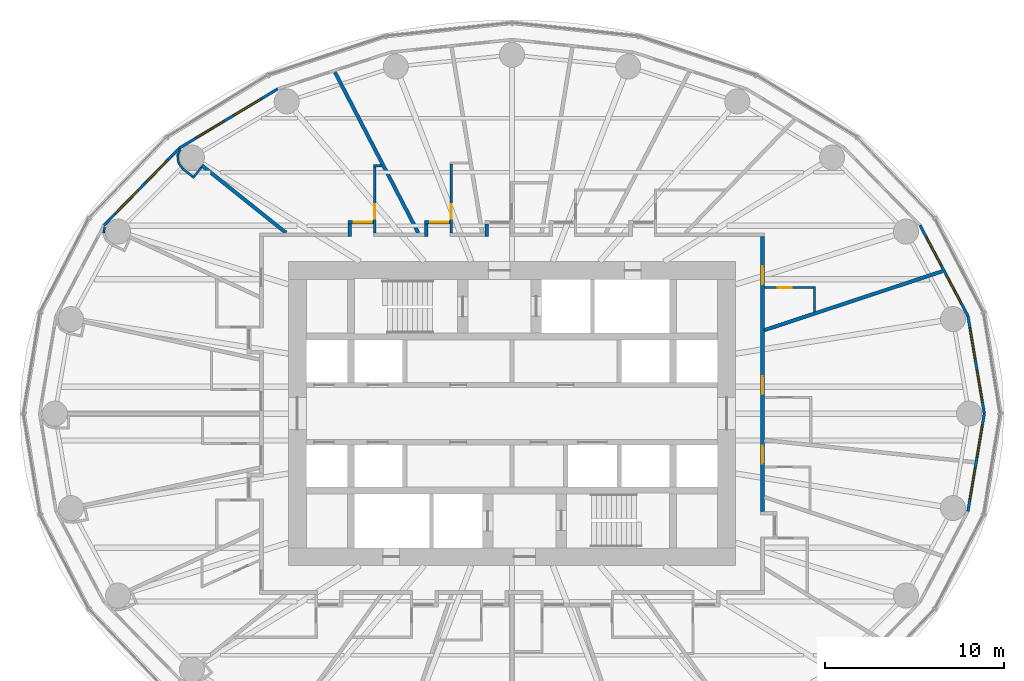
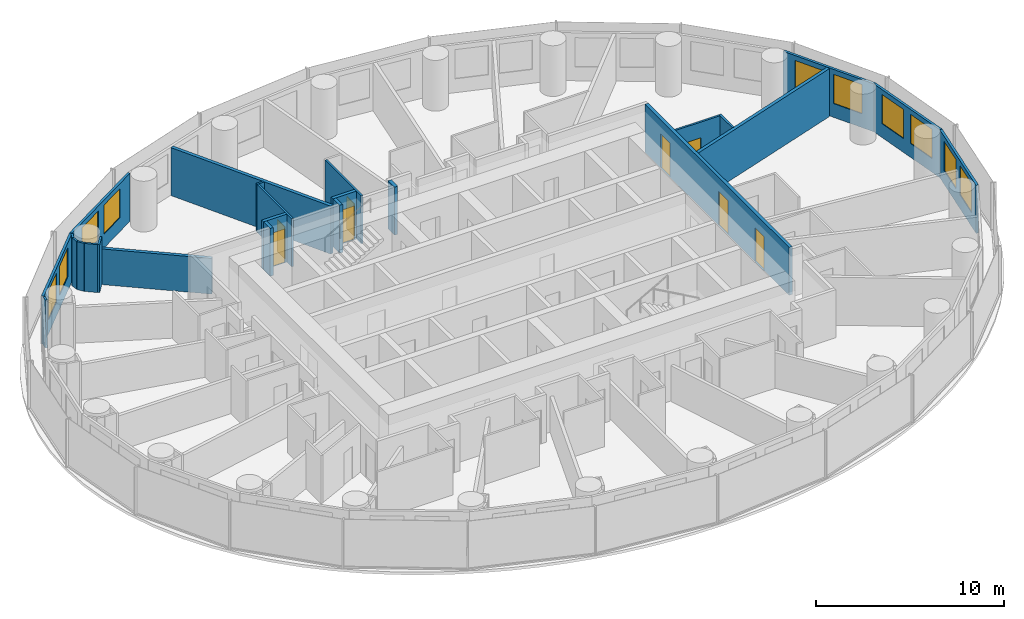
# One storey, part 11 of 14: 25 walls, 10 windows, 8 doors, 18 openings.
"""IFC4 building model written with IfcOpenShell, lengths in metres."""

from ifc_helpers import new_model, si_unit, direction, frame, frame_2d, origin, place, context, subcontext, project, spatial, rectangle, extrude, material, layer, layer_set, type_object, element, fill, save


model = new_model("IFC4")

# Units and contexts
model_context = context("Model", 3, precision=1e-05, world=origin(), true_north=direction((0.0, 1.0)))
body_context = subcontext(model_context, "Body", "Model", "MODEL_VIEW")
ifc_project = project(units=[si_unit("LENGTHUNIT", "METRE"), si_unit("AREAUNIT", "SQUARE_METRE"), si_unit("VOLUMEUNIT", "CUBIC_METRE"), si_unit("PLANEANGLEUNIT", "RADIAN"), si_unit("MASSUNIT", "GRAM", prefix="KILO")], contexts=[model_context])

# Site, building, storey
site_placement = place(None, origin())
site = spatial("IfcSite", under=ifc_project, at=site_placement, CompositionType="ELEMENT")
building_placement = place(site_placement, origin())
building = spatial("IfcBuilding", under=site, at=building_placement, Name="Hankou Lantern Tower", CompositionType="ELEMENT")
storey_placement = place(building_placement, frame((0.0, 0.0, 54.0)))
storey = spatial("IfcBuildingStorey", under=building, at=storey_placement, Name="L12", CompositionType="ELEMENT", Elevation=54.0)

# Wall, openings, windows
ifc_material_1 = material(Name="Aluminium spandrel panel on steel studs", Category="steel")
ifc_layer_1 = layer(ifc_material_1, 0.14990234375)
ifc_layer_set_1 = layer_set([ifc_layer_1], Name="Aluminium spandrel panel on steel studs")
wall_type_1 = type_object("IfcWallType", Name="EW1 INNER SKIN WALL 150", PredefinedType="ELEMENTEDWALL", material=ifc_layer_set_1)
wall_1_placement = place(storey_placement, frame((26.39990234375, 0.0, 0.0), z_axis=(0.0, 0.0, 1.0), x_axis=(-0.165642551694, 0.986185857264, 0.0)))
wall_1 = element("IfcWall", 1, at=wall_1_placement, inside=storey, type_object=wall_type_1, Name="Inner skin R01-R02 L12", PredefinedType="ELEMENTEDWALL", context=body_context, shape_type="SweptSolid", body=[
    extrude(rectangle(XDim=5.538818359375, YDim=0.14990234375, at=frame_2d((2.76953125, 0.0))), origin(), (0.0, 0.0, 1.0), 3.1201171875),
])
opening_1_placement = place(wall_1_placement, frame((0.66943359375, 0.0, 0.89990234375)))
opening_1 = element("IfcOpeningElement", 2, at=opening_1_placement, cuts=wall_1, Name="Opening W1", PredefinedType="OPENING", context=body_context, shape_type="SweptSolid", body=[
    extrude(rectangle(XDim=1.800048828125, YDim=1.89990234375, at=frame_2d((0.89990234375, 0.949951171875))), frame((0.0, 0.0849609375, 0.0), z_axis=(0.0, -1.0, 0.0), x_axis=(1.0, 0.0, 0.0)), (0.0, 0.0, 1.0), 0.169921875),
])
opening_2_placement = place(wall_1_placement, frame((3.069580078125, 0.0, 0.89990234375)))
opening_2 = element("IfcOpeningElement", 3, at=opening_2_placement, cuts=wall_1, Name="Opening W1", PredefinedType="OPENING", context=body_context, shape_type="SweptSolid", body=[
    extrude(rectangle(XDim=1.800048828125, YDim=1.89990234375, at=frame_2d((0.89990234375, 0.949951171875))), frame((0.0, 0.0849609375, 0.0), z_axis=(0.0, -1.0, 0.0), x_axis=(1.0, 0.0, 0.0)), (0.0, 0.0, 1.0), 0.169921875),
])
ifc_material_2 = material(Name="Aluminium framed double glazed window", Category="aluminium")
window_type = type_object("IfcWindowType", Name="W1 GUEST ROOM WINDOW 1800X1900", PartitioningType="DOUBLE_PANEL_VERTICAL", PredefinedType="WINDOW", material=ifc_material_2)
window_1_placement = place(opening_1_placement, origin())
window_1 = element("IfcWindow", 4, at=window_1_placement, inside=storey, type_object=window_type, Name="Window R01.1 L12", OverallHeight=1.89990234375, OverallWidth=1.800048828125, PartitioningType="SINGLE_PANEL", PredefinedType="WINDOW", context=body_context, shape_type="SweptSolid", body=[
    extrude(rectangle(XDim=1.800048828125, YDim=1.89990234375, at=frame_2d((0.89990234375, 0.949951171875))), frame((0.0, 0.030029296875, 0.0), z_axis=(0.0, -1.0, 0.0), x_axis=(1.0, 0.0, 0.0)), (0.0, 0.0, 1.0), 0.06005859375),
])
fill(opening_1, window_1)
window_2_placement = place(opening_2_placement, origin())
window_2 = element("IfcWindow", 5, at=window_2_placement, inside=storey, type_object=window_type, Name="Window R01.2 L12", OverallHeight=1.89990234375, OverallWidth=1.800048828125, PartitioningType="SINGLE_PANEL", PredefinedType="WINDOW", context=body_context, shape_type="SweptSolid", body=[
    extrude(rectangle(XDim=1.800048828125, YDim=1.89990234375, at=frame_2d((0.89990234375, 0.949951171875))), frame((0.0, 0.030029296875, 0.0), z_axis=(0.0, -1.0, 0.0), x_axis=(1.0, 0.0, 0.0)), (0.0, 0.0, 1.0), 0.06005859375),
])
fill(opening_2, window_2)

wall_2_placement = place(storey_placement, frame((25.482421875, 5.46240234375, 0.0), z_axis=(0.0, 0.0, 1.0), x_axis=(-0.467296867008, 0.884100468321, 0.0)))
wall_2 = element("IfcWall", 6, at=wall_2_placement, inside=storey, type_object=wall_type_1, Name="Inner skin R02-R03 L12", PredefinedType="ELEMENTEDWALL", context=body_context, shape_type="SweptSolid", body=[
    extrude(rectangle(XDim=5.734375, YDim=0.14990234375, at=frame_2d((2.8671875, 0.0))), origin(), (0.0, 0.0, 1.0), 3.1201171875),
])
opening_3_placement = place(wall_2_placement, frame((0.76708984375, 0.0, 0.89990234375)))
opening_3 = element("IfcOpeningElement", 7, at=opening_3_placement, cuts=wall_2, Name="Opening W1", PredefinedType="OPENING", context=body_context, shape_type="SweptSolid", body=[
    extrude(rectangle(XDim=1.800048828125, YDim=1.89990234375, at=frame_2d((0.89990234375, 0.949951171875))), frame((0.0, 0.0849609375, 0.0), z_axis=(0.0, -1.0, 0.0), x_axis=(1.0, 0.0, 0.0)), (0.0, 0.0, 1.0), 0.169921875),
])
opening_4_placement = place(wall_2_placement, frame((3.167236328125, 0.0, 0.89990234375)))
opening_4 = element("IfcOpeningElement", 8, at=opening_4_placement, cuts=wall_2, Name="Opening W1", PredefinedType="OPENING", context=body_context, shape_type="SweptSolid", body=[
    extrude(rectangle(XDim=1.800048828125, YDim=1.89990234375, at=frame_2d((0.89990234375, 0.949951171875))), frame((0.0, 0.0849609375, 0.0), z_axis=(0.0, -1.0, 0.0), x_axis=(1.0, 0.0, 0.0)), (0.0, 0.0, 1.0), 0.169921875),
])
window_3_placement = place(opening_3_placement, origin())
window_3 = element("IfcWindow", 9, at=window_3_placement, inside=storey, type_object=window_type, Name="Window R02.1 L12", OverallHeight=1.89990234375, OverallWidth=1.800048828125, PartitioningType="SINGLE_PANEL", PredefinedType="WINDOW", context=body_context, shape_type="SweptSolid", body=[
    extrude(rectangle(XDim=1.800048828125, YDim=1.89990234375, at=frame_2d((0.89990234375, 0.949951171875))), frame((0.0, 0.030029296875, 0.0), z_axis=(0.0, -1.0, 0.0), x_axis=(1.0, 0.0, 0.0)), (0.0, 0.0, 1.0), 0.06005859375),
])
fill(opening_3, window_3)
window_4_placement = place(opening_4_placement, origin())
window_4 = element("IfcWindow", 10, at=window_4_placement, inside=storey, type_object=window_type, Name="Window R02.2 L12", OverallHeight=1.89990234375, OverallWidth=1.800048828125, PartitioningType="SINGLE_PANEL", PredefinedType="WINDOW", context=body_context, shape_type="SweptSolid", body=[
    extrude(rectangle(XDim=1.800048828125, YDim=1.89990234375, at=frame_2d((0.89990234375, 0.949951171875))), frame((0.0, 0.030029296875, 0.0), z_axis=(0.0, -1.0, 0.0), x_axis=(1.0, 0.0, 0.0)), (0.0, 0.0, 1.0), 0.06005859375),
])
fill(opening_4, window_4)

wall_3_placement = place(storey_placement, frame((-13.096435546875, 18.14697265625, 0.0), z_axis=(0.0, 0.0, 1.0), x_axis=(-0.856983180864, -0.515344377787, 0.0)))
wall_3 = element("IfcWall", 11, at=wall_3_placement, inside=storey, type_object=wall_type_1, Name="Inner skin R09-R10 L12", PredefinedType="ELEMENTEDWALL", context=body_context, shape_type="SweptSolid", body=[
    extrude(rectangle(XDim=6.386474609375, YDim=0.14990234375, at=frame_2d((3.193359375, 0.0))), origin(), (0.0, 0.0, 1.0), 3.1201171875),
])
opening_5_placement = place(wall_3_placement, frame((1.09326171875, 0.0, 0.89990234375)))
opening_5 = element("IfcOpeningElement", 12, at=opening_5_placement, cuts=wall_3, Name="Opening W1", PredefinedType="OPENING", context=body_context, shape_type="SweptSolid", body=[
    extrude(rectangle(XDim=1.800048828125, YDim=1.89990234375, at=frame_2d((0.89990234375, 0.949951171875))), frame((0.0, 0.0849609375, 0.0), z_axis=(0.0, -1.0, 0.0), x_axis=(1.0, 0.0, 0.0)), (0.0, 0.0, 1.0), 0.169921875),
])
opening_6_placement = place(wall_3_placement, frame((3.4931640625, 0.0, 0.89990234375)))
opening_6 = element("IfcOpeningElement", 13, at=opening_6_placement, cuts=wall_3, Name="Opening W1", PredefinedType="OPENING", context=body_context, shape_type="SweptSolid", body=[
    extrude(rectangle(XDim=1.800048828125, YDim=1.89990234375, at=frame_2d((0.89990234375, 0.949951171875))), frame((0.0, 0.0849609375, 0.0), z_axis=(0.0, -1.0, 0.0), x_axis=(1.0, 0.0, 0.0)), (0.0, 0.0, 1.0), 0.169921875),
])
window_5_placement = place(opening_5_placement, origin())
window_5 = element("IfcWindow", 14, at=window_5_placement, inside=storey, type_object=window_type, Name="Window R09.1 L12", OverallHeight=1.89990234375, OverallWidth=1.800048828125, PartitioningType="SINGLE_PANEL", PredefinedType="WINDOW", context=body_context, shape_type="SweptSolid", body=[
    extrude(rectangle(XDim=1.800048828125, YDim=1.89990234375, at=frame_2d((0.89990234375, 0.949951171875))), frame((0.0, 0.030029296875, 0.0), z_axis=(0.0, -1.0, 0.0), x_axis=(1.0, 0.0, 0.0)), (0.0, 0.0, 1.0), 0.06005859375),
])
fill(opening_5, window_5)
window_6_placement = place(opening_6_placement, origin())
window_6 = element("IfcWindow", 15, at=window_6_placement, inside=storey, type_object=window_type, Name="Window R09.2 L12", OverallHeight=1.89990234375, OverallWidth=1.800048828125, PartitioningType="SINGLE_PANEL", PredefinedType="WINDOW", context=body_context, shape_type="SweptSolid", body=[
    extrude(rectangle(XDim=1.800048828125, YDim=1.89990234375, at=frame_2d((0.89990234375, 0.949951171875))), frame((0.0, 0.030029296875, 0.0), z_axis=(0.0, -1.0, 0.0), x_axis=(1.0, 0.0, 0.0)), (0.0, 0.0, 1.0), 0.06005859375),
])
fill(opening_6, window_6)

wall_4_placement = place(storey_placement, frame((-18.569580078125, 14.855712890625, 0.0), z_axis=(0.0, 0.0, 1.0), x_axis=(-0.699602905915, -0.714531856557, 0.0)))
wall_4 = element("IfcWall", 16, at=wall_4_placement, inside=storey, type_object=wall_type_1, Name="Inner skin R10-R11 L12", PredefinedType="ELEMENTEDWALL", context=body_context, shape_type="SweptSolid", body=[
    extrude(rectangle(XDim=6.05078125, YDim=0.14990234375, at=frame_2d((3.025390625, 0.0))), origin(), (0.0, 0.0, 1.0), 3.1201171875),
])
opening_7_placement = place(wall_4_placement, frame((0.925537109375, 0.0, 0.89990234375)))
opening_7 = element("IfcOpeningElement", 17, at=opening_7_placement, cuts=wall_4, Name="Opening W1", PredefinedType="OPENING", context=body_context, shape_type="SweptSolid", body=[
    extrude(rectangle(XDim=1.800048828125, YDim=1.89990234375, at=frame_2d((0.89990234375, 0.949951171875))), frame((0.0, 0.0849609375, 0.0), z_axis=(0.0, -1.0, 0.0), x_axis=(1.0, 0.0, 0.0)), (0.0, 0.0, 1.0), 0.169921875),
])
opening_8_placement = place(wall_4_placement, frame((3.325439453125, 0.0, 0.89990234375)))
opening_8 = element("IfcOpeningElement", 18, at=opening_8_placement, cuts=wall_4, Name="Opening W1", PredefinedType="OPENING", context=body_context, shape_type="SweptSolid", body=[
    extrude(rectangle(XDim=1.800048828125, YDim=1.89990234375, at=frame_2d((0.89990234375, 0.949951171875))), frame((0.0, 0.0849609375, 0.0), z_axis=(0.0, -1.0, 0.0), x_axis=(1.0, 0.0, 0.0)), (0.0, 0.0, 1.0), 0.169921875),
])
window_7_placement = place(opening_7_placement, origin())
window_7 = element("IfcWindow", 19, at=window_7_placement, inside=storey, type_object=window_type, Name="Window R10.1 L12", OverallHeight=1.89990234375, OverallWidth=1.800048828125, PartitioningType="SINGLE_PANEL", PredefinedType="WINDOW", context=body_context, shape_type="SweptSolid", body=[
    extrude(rectangle(XDim=1.800048828125, YDim=1.89990234375, at=frame_2d((0.89990234375, 0.949951171875))), frame((0.0, 0.030029296875, 0.0), z_axis=(0.0, -1.0, 0.0), x_axis=(1.0, 0.0, 0.0)), (0.0, 0.0, 1.0), 0.06005859375),
])
fill(opening_7, window_7)
window_8_placement = place(opening_8_placement, origin())
window_8 = element("IfcWindow", 20, at=window_8_placement, inside=storey, type_object=window_type, Name="Window R10.2 L12", OverallHeight=1.89990234375, OverallWidth=1.800048828125, PartitioningType="SINGLE_PANEL", PredefinedType="WINDOW", context=body_context, shape_type="SweptSolid", body=[
    extrude(rectangle(XDim=1.800048828125, YDim=1.89990234375, at=frame_2d((0.89990234375, 0.949951171875))), frame((0.0, 0.030029296875, 0.0), z_axis=(0.0, -1.0, 0.0), x_axis=(1.0, 0.0, 0.0)), (0.0, 0.0, 1.0), 0.06005859375),
])
fill(opening_8, window_8)

wall_5_placement = place(storey_placement, frame((25.482421875, -5.46240234375, 0.0), z_axis=(0.0, 0.0, 1.0), x_axis=(0.165642551694, 0.986185857264, 0.0)))
wall_5 = element("IfcWall", 21, at=wall_5_placement, inside=storey, type_object=wall_type_1, Name="Inner skin R24-R01 L12", PredefinedType="ELEMENTEDWALL", context=body_context, shape_type="SweptSolid", body=[
    extrude(rectangle(XDim=5.538818359375, YDim=0.14990234375, at=frame_2d((2.76953125, 0.0))), origin(), (0.0, 0.0, 1.0), 3.1201171875),
])
opening_9_placement = place(wall_5_placement, frame((0.66943359375, 0.0, 0.89990234375)))
opening_9 = element("IfcOpeningElement", 22, at=opening_9_placement, cuts=wall_5, Name="Opening W1", PredefinedType="OPENING", context=body_context, shape_type="SweptSolid", body=[
    extrude(rectangle(XDim=1.800048828125, YDim=1.89990234375, at=frame_2d((0.89990234375, 0.949951171875))), frame((0.0, 0.0849609375, 0.0), z_axis=(0.0, -1.0, 0.0), x_axis=(1.0, 0.0, 0.0)), (0.0, 0.0, 1.0), 0.169921875),
])
opening_10_placement = place(wall_5_placement, frame((3.069580078125, 0.0, 0.89990234375)))
opening_10 = element("IfcOpeningElement", 23, at=opening_10_placement, cuts=wall_5, Name="Opening W1", PredefinedType="OPENING", context=body_context, shape_type="SweptSolid", body=[
    extrude(rectangle(XDim=1.800048828125, YDim=1.89990234375, at=frame_2d((0.89990234375, 0.949951171875))), frame((0.0, 0.0849609375, 0.0), z_axis=(0.0, -1.0, 0.0), x_axis=(1.0, 0.0, 0.0)), (0.0, 0.0, 1.0), 0.169921875),
])
window_9_placement = place(opening_9_placement, origin())
window_9 = element("IfcWindow", 24, at=window_9_placement, inside=storey, type_object=window_type, Name="Window R24.1 L12", OverallHeight=1.89990234375, OverallWidth=1.800048828125, PartitioningType="SINGLE_PANEL", PredefinedType="WINDOW", context=body_context, shape_type="SweptSolid", body=[
    extrude(rectangle(XDim=1.800048828125, YDim=1.89990234375, at=frame_2d((0.89990234375, 0.949951171875))), frame((0.0, 0.030029296875, 0.0), z_axis=(0.0, -1.0, 0.0), x_axis=(1.0, 0.0, 0.0)), (0.0, 0.0, 1.0), 0.06005859375),
])
fill(opening_9, window_9)
window_10_placement = place(opening_10_placement, origin())
window_10 = element("IfcWindow", 25, at=window_10_placement, inside=storey, type_object=window_type, Name="Window R24.2 L12", OverallHeight=1.89990234375, OverallWidth=1.800048828125, PartitioningType="SINGLE_PANEL", PredefinedType="WINDOW", context=body_context, shape_type="SweptSolid", body=[
    extrude(rectangle(XDim=1.800048828125, YDim=1.89990234375, at=frame_2d((0.89990234375, 0.949951171875))), frame((0.0, 0.030029296875, 0.0), z_axis=(0.0, -1.0, 0.0), x_axis=(1.0, 0.0, 0.0)), (0.0, 0.0, 1.0), 0.06005859375),
])
fill(opening_10, window_10)

# Walls
ifc_material_3 = material(Name="Masonry lightweight concrete block", Category="masonry")
ifc_layer_2 = layer(ifc_material_3, 0.199951171875)
ifc_layer_set_2 = layer_set([ifc_layer_2], Name="Masonry lightweight concrete block")
wall_type_2 = type_object("IfcWallType", Name="IW1 GUEST ROOM PARTY WALL 200", PredefinedType="PARTITIONING", material=ifc_layer_set_2)
wall_6_placement = place(storey_placement, frame((14.10009765625, 4.6630859375, 0.0), z_axis=(0.0, 0.0, 1.0), x_axis=(0.949432655039, 0.31397075269, 0.0)))
element("IfcWall", 26, at=wall_6_placement, inside=storey, type_object=wall_type_2, Name="Party wall R02-R03", PredefinedType="PARTITIONING", context=body_context, shape_type="SweptSolid", body=[
    extrude(rectangle(XDim=10.48583984375, YDim=0.199951171875, at=frame_2d((5.242919921875, 0.0))), origin(), (0.0, 0.0, 1.0), 3.1201171875),
])
wall_7_placement = place(storey_placement, frame((-5.238525390625, 10.10009765625, 0.0), z_axis=(0.0, 0.0, 1.0), x_axis=(-0.460422783389, 0.887699758103, 0.0)))
element("IfcWall", 27, at=wall_7_placement, inside=storey, type_object=wall_type_2, Name="Party wall R08-R09", PredefinedType="PARTITIONING", context=body_context, shape_type="SweptSolid", body=[
    extrude(rectangle(XDim=10.120361328125, YDim=0.199951171875, at=frame_2d((5.06005859375, 0.0))), origin(), (0.0, 0.0, 1.0), 3.1201171875),
])
ifc_material_4 = material(Name="Masonry lightweight concrete block", Category="masonry")
ifc_layer_3 = layer(ifc_material_4, 0.199951171875)
ifc_layer_set_3 = layer_set([ifc_layer_3], Name="Masonry lightweight concrete block")
wall_type_3 = type_object("IfcWallType", Name="IW2 CORRIDOR WALL 200", PredefinedType="PARTITIONING", material=ifc_layer_set_3)
wall_8_placement = place(storey_placement, frame((-1.4150390625, 9.89990234375, 0.0), z_axis=(0.0, 0.0, 1.0), x_axis=(0.0, 1.0, 0.0)))
element("IfcWall", 28, at=wall_8_placement, inside=storey, type_object=wall_type_3, Name="Corridor recess wall 1203 side", PredefinedType="PARTITIONING", context=body_context, shape_type="SweptSolid", body=[
    extrude(rectangle(XDim=0.7001953125, YDim=0.199951171875, at=frame_2d((0.35009765625, 0.0))), origin(), (0.0, 0.0, 1.0), 3.1201171875),
])

# Wall, opening, door
wall_9_placement = place(storey_placement, frame((-4.89501953125, 10.699951171875, 0.0), z_axis=(0.0, 0.0, 1.0), x_axis=(1.0, 0.0, 0.0)))
wall_9 = element("IfcWall", 29, at=wall_9_placement, inside=storey, type_object=wall_type_3, Name="Corridor recess wall 1204 back", PredefinedType="PARTITIONING", context=body_context, shape_type="SweptSolid", body=[
    extrude(rectangle(XDim=1.43994140625, YDim=0.199951171875, at=frame_2d((0.719970703125, 0.0))), origin(), (0.0, 0.0, 1.0), 3.1201171875),
])
opening_11_placement = place(wall_9_placement, frame((0.320068359375, 0.0, 0.0)))
opening_11 = element("IfcOpeningElement", 30, at=opening_11_placement, cuts=wall_9, Name="Opening D1", PredefinedType="OPENING", context=body_context, shape_type="SweptSolid", body=[
    extrude(rectangle(XDim=1.0, YDim=2.199951171875, at=frame_2d((0.5, 1.10009765625))), frame((0.0, 0.10986328125, 0.0), z_axis=(0.0, -1.0, 0.0), x_axis=(1.0, 0.0, 0.0)), (0.0, 0.0, 1.0), 0.219970703125),
])
ifc_material_5 = material(Name="Steel door leaf", Category="steel")
door_type_1 = type_object("IfcDoorType", Name="D1 GUEST ROOM DOOR 1000X2200", OperationType="SINGLE_SWING_LEFT", PredefinedType="DOOR", material=ifc_material_5)
door_1_placement = place(opening_11_placement, origin())
door_1 = element("IfcDoor", 31, at=door_1_placement, inside=storey, type_object=door_type_1, Name="Guest room door 1204", OperationType="SINGLE_SWING_RIGHT", OverallHeight=2.199951171875, OverallWidth=1.0, PredefinedType="DOOR", context=body_context, shape_type="SweptSolid", body=[
    extrude(rectangle(XDim=1.0, YDim=2.199951171875, at=frame_2d((0.5, 1.10009765625))), frame((0.0, 0.02490234375, 0.0), z_axis=(0.0, -1.0, 0.0), x_axis=(1.0, 0.0, 0.0)), (0.0, 0.0, 1.0), 0.050048828125),
])
fill(opening_11, door_1)

# Wall
wall_10_placement = place(storey_placement, frame((-4.794921875, 9.89990234375, 0.0), z_axis=(0.0, 0.0, 1.0), x_axis=(0.0, 1.0, 0.0)))
element("IfcWall", 32, at=wall_10_placement, inside=storey, type_object=wall_type_3, Name="Corridor recess wall 1204 side", PredefinedType="PARTITIONING", context=body_context, shape_type="SweptSolid", body=[
    extrude(rectangle(XDim=0.7001953125, YDim=0.199951171875, at=frame_2d((0.35009765625, 0.0))), origin(), (0.0, 0.0, 1.0), 3.1201171875),
])

# Wall, opening, door
wall_11_placement = place(storey_placement, frame((-9.168701171875, 10.699951171875, 0.0), z_axis=(0.0, 0.0, 1.0), x_axis=(1.0, 0.0, 0.0)))
wall_11 = element("IfcWall", 33, at=wall_11_placement, inside=storey, type_object=wall_type_3, Name="Corridor recess wall 1205 back", PredefinedType="PARTITIONING", context=body_context, shape_type="SweptSolid", body=[
    extrude(rectangle(XDim=1.440185546875, YDim=0.199951171875, at=frame_2d((0.72021484375, 0.0))), origin(), (0.0, 0.0, 1.0), 3.1201171875),
])
opening_12_placement = place(wall_11_placement, frame((0.320068359375, 0.0, 0.0)))
opening_12 = element("IfcOpeningElement", 34, at=opening_12_placement, cuts=wall_11, Name="Opening D1", PredefinedType="OPENING", context=body_context, shape_type="SweptSolid", body=[
    extrude(rectangle(XDim=1.0, YDim=2.199951171875, at=frame_2d((0.5, 1.10009765625))), frame((0.0, 0.10986328125, 0.0), z_axis=(0.0, -1.0, 0.0), x_axis=(1.0, 0.0, 0.0)), (0.0, 0.0, 1.0), 0.219970703125),
])
door_2_placement = place(opening_12_placement, origin())
door_2 = element("IfcDoor", 35, at=door_2_placement, inside=storey, type_object=door_type_1, Name="Guest room door 1205", OperationType="SINGLE_SWING_RIGHT", OverallHeight=2.199951171875, OverallWidth=1.0, PredefinedType="DOOR", context=body_context, shape_type="SweptSolid", body=[
    extrude(rectangle(XDim=1.0, YDim=2.199951171875, at=frame_2d((0.5, 1.10009765625))), frame((0.0, 0.02490234375, 0.0), z_axis=(0.0, -1.0, 0.0), x_axis=(1.0, 0.0, 0.0)), (0.0, 0.0, 1.0), 0.050048828125),
])
fill(opening_12, door_2)

# Wall
wall_12_placement = place(storey_placement, frame((-9.068603515625, 9.89990234375, 0.0), z_axis=(0.0, 0.0, 1.0), x_axis=(0.0, 1.0, 0.0)))
element("IfcWall", 36, at=wall_12_placement, inside=storey, type_object=wall_type_3, Name="Corridor recess wall 1205 side", PredefinedType="PARTITIONING", context=body_context, shape_type="SweptSolid", body=[
    extrude(rectangle(XDim=0.7001953125, YDim=0.199951171875, at=frame_2d((0.35009765625, 0.0))), origin(), (0.0, 0.0, 1.0), 3.1201171875),
])

# Wall, openings, doors
wall_13_placement = place(storey_placement, frame((14.0, -5.458984375, 0.0), z_axis=(0.0, 0.0, 1.0), x_axis=(0.0, 1.0, 0.0)))
wall_13 = element("IfcWall", 37, at=wall_13_placement, inside=storey, type_object=wall_type_3, Name="Corridor wall east", PredefinedType="PARTITIONING", context=body_context, shape_type="SweptSolid", body=[
    extrude(rectangle(XDim=15.35888671875, YDim=0.199951171875, at=frame_2d((7.679443359375, 0.0))), origin(), (0.0, 0.0, 1.0), 3.1201171875),
])
opening_13_placement = place(wall_13_placement, frame((2.656005859375, 0.0, 0.0)))
opening_13 = element("IfcOpeningElement", 38, at=opening_13_placement, cuts=wall_13, Name="Opening D1", PredefinedType="OPENING", context=body_context, shape_type="SweptSolid", body=[
    extrude(rectangle(XDim=1.0, YDim=2.199951171875, at=frame_2d((0.5, 1.10009765625))), frame((0.0, 0.10986328125, 0.0), z_axis=(0.0, -1.0, 0.0), x_axis=(1.0, 0.0, 0.0)), (0.0, 0.0, 1.0), 0.219970703125),
])
opening_14_placement = place(wall_13_placement, frame((6.537109375, 0.0, 0.0)))
opening_14 = element("IfcOpeningElement", 39, at=opening_14_placement, cuts=wall_13, Name="Opening D2", PredefinedType="OPENING", context=body_context, shape_type="SweptSolid", body=[
    extrude(rectangle(XDim=1.0, YDim=2.199951171875, at=frame_2d((0.5, 1.10009765625))), frame((0.0, 0.10986328125, 0.0), z_axis=(0.0, -1.0, 0.0), x_axis=(1.0, 0.0, 0.0)), (0.0, 0.0, 1.0), 0.219970703125),
])
opening_15_placement = place(wall_13_placement, frame((12.681884765625, 0.0, 0.0)))
opening_15 = element("IfcOpeningElement", 40, at=opening_15_placement, cuts=wall_13, Name="Opening D2", PredefinedType="OPENING", context=body_context, shape_type="SweptSolid", body=[
    extrude(rectangle(XDim=1.0, YDim=2.199951171875, at=frame_2d((0.5, 1.10009765625))), frame((0.0, 0.10986328125, 0.0), z_axis=(0.0, -1.0, 0.0), x_axis=(1.0, 0.0, 0.0)), (0.0, 0.0, 1.0), 0.219970703125),
])
door_3_placement = place(opening_13_placement, origin())
door_3 = element("IfcDoor", 41, at=door_3_placement, inside=storey, type_object=door_type_1, Name="Guest room door 1219", OperationType="SINGLE_SWING_RIGHT", OverallHeight=2.199951171875, OverallWidth=1.0, PredefinedType="DOOR", context=body_context, shape_type="SweptSolid", body=[
    extrude(rectangle(XDim=1.0, YDim=2.199951171875, at=frame_2d((0.5, 1.10009765625))), frame((0.0, 0.02490234375, 0.0), z_axis=(0.0, -1.0, 0.0), x_axis=(1.0, 0.0, 0.0)), (0.0, 0.0, 1.0), 0.050048828125),
])
fill(opening_13, door_3)
ifc_material_6 = material(Name="Steel door leaf", Category="steel")
door_type_2 = type_object("IfcDoorType", Name="D2 SUITE DOOR 1000X2200", OperationType="SINGLE_SWING_LEFT", PredefinedType="DOOR", material=ifc_material_6)
door_4_placement = place(opening_14_placement, origin())
door_4 = element("IfcDoor", 42, at=door_4_placement, inside=storey, type_object=door_type_2, Name="Suite door 1220", OperationType="SINGLE_SWING_RIGHT", OverallHeight=2.199951171875, OverallWidth=1.0, PredefinedType="DOOR", context=body_context, shape_type="SweptSolid", body=[
    extrude(rectangle(XDim=1.0, YDim=2.199951171875, at=frame_2d((0.5, 1.10009765625))), frame((0.0, 0.02490234375, 0.0), z_axis=(0.0, -1.0, 0.0), x_axis=(1.0, 0.0, 0.0)), (0.0, 0.0, 1.0), 0.050048828125),
])
fill(opening_14, door_4)
door_5_placement = place(opening_15_placement, origin())
door_5 = element("IfcDoor", 43, at=door_5_placement, inside=storey, type_object=door_type_2, Name="Suite door 1221", OperationType="SINGLE_SWING_RIGHT", OverallHeight=2.199951171875, OverallWidth=1.0, PredefinedType="DOOR", context=body_context, shape_type="SweptSolid", body=[
    extrude(rectangle(XDim=1.0, YDim=2.199951171875, at=frame_2d((0.5, 1.10009765625))), frame((0.0, 0.02490234375, 0.0), z_axis=(0.0, -1.0, 0.0), x_axis=(1.0, 0.0, 0.0)), (0.0, 0.0, 1.0), 0.050048828125),
])
fill(opening_15, door_5)

# Wall, opening, door
ifc_material_7 = material(Name="Masonry lightweight concrete block", Category="masonry")
ifc_layer_4 = layer(ifc_material_7, 0.1201171875)
ifc_layer_set_4 = layer_set([ifc_layer_4], Name="Masonry lightweight concrete block")
wall_type_4 = type_object("IfcWallType", Name="IW3 BATHROOM WALL 120", PredefinedType="PARTITIONING", material=ifc_layer_set_4)
wall_14_placement = place(storey_placement, frame((-3.39501953125, 10.10009765625, 0.0), z_axis=(0.0, 0.0, 1.0), x_axis=(0.0, 1.0, 0.0)))
wall_14 = element("IfcWall", 44, at=wall_14_placement, inside=storey, type_object=wall_type_4, Name="Box wall 1204 1", PredefinedType="PARTITIONING", context=body_context, shape_type="SweptSolid", body=[
    extrude(rectangle(XDim=3.83984375, YDim=0.1201171875, at=frame_2d((1.919921875, 0.0))), origin(), (0.0, 0.0, 1.0), 3.1201171875),
])
opening_16_placement = place(wall_14_placement, frame((0.800048828125, 0.0, 0.0)))
opening_16 = element("IfcOpeningElement", 45, at=opening_16_placement, cuts=wall_14, Name="Opening D3", PredefinedType="OPENING", context=body_context, shape_type="SweptSolid", body=[
    extrude(rectangle(XDim=0.800048828125, YDim=2.10009765625, at=frame_2d((0.39990234375, 1.050048828125))), frame((0.0, 0.070068359375, 0.0), z_axis=(0.0, -1.0, 0.0), x_axis=(1.0, 0.0, 0.0)), (0.0, 0.0, 1.0), 0.14013671875),
])
ifc_material_8 = material(Name="Timber door leaf", Category="wood")
door_type_3 = type_object("IfcDoorType", Name="D3 BATHROOM DOOR 800X2100", OperationType="SINGLE_SWING_LEFT", PredefinedType="DOOR", material=ifc_material_8)
door_6_placement = place(opening_16_placement, origin())
door_6 = element("IfcDoor", 46, at=door_6_placement, inside=storey, type_object=door_type_3, Name="En-suite bathroom 1204 door", OperationType="SINGLE_SWING_LEFT", OverallHeight=2.10009765625, OverallWidth=0.800048828125, PredefinedType="DOOR", context=body_context, shape_type="SweptSolid", body=[
    extrude(rectangle(XDim=0.800048828125, YDim=2.10009765625, at=frame_2d((0.39990234375, 1.050048828125))), frame((0.0, 0.02490234375, 0.0), z_axis=(0.0, -1.0, 0.0), x_axis=(1.0, 0.0, 0.0)), (0.0, 0.0, 1.0), 0.050048828125),
])
fill(opening_16, door_6)

# Wall
wall_15_placement = place(storey_placement, frame((-7.28369140625, 13.85009765625, 0.0), z_axis=(0.0, 0.0, 1.0), x_axis=(-1.0, 0.0, 0.0)))
element("IfcWall", 47, at=wall_15_placement, inside=storey, type_object=wall_type_4, Name="Box wall 1205 1", PredefinedType="PARTITIONING", context=body_context, shape_type="SweptSolid", body=[
    extrude(rectangle(XDim=0.44482421875, YDim=0.1201171875, at=frame_2d((0.222412109375, 0.0))), origin(), (0.0, 0.0, 1.0), 3.1201171875),
])

# Wall, opening, door
wall_16_placement = place(storey_placement, frame((-7.668701171875, 10.10009765625, 0.0), z_axis=(0.0, 0.0, 1.0), x_axis=(0.0, 1.0, 0.0)))
wall_16 = element("IfcWall", 48, at=wall_16_placement, inside=storey, type_object=wall_type_4, Name="Box wall 1205 1", PredefinedType="PARTITIONING", context=body_context, shape_type="SweptSolid", body=[
    extrude(rectangle(XDim=3.68994140625, YDim=0.1201171875, at=frame_2d((1.844970703125, 0.0))), origin(), (0.0, 0.0, 1.0), 3.1201171875),
])
opening_17_placement = place(wall_16_placement, frame((0.800048828125, 0.0, 0.0)))
opening_17 = element("IfcOpeningElement", 49, at=opening_17_placement, cuts=wall_16, Name="Opening D3", PredefinedType="OPENING", context=body_context, shape_type="SweptSolid", body=[
    extrude(rectangle(XDim=0.800048828125, YDim=2.10009765625, at=frame_2d((0.39990234375, 1.050048828125))), frame((0.0, 0.070068359375, 0.0), z_axis=(0.0, -1.0, 0.0), x_axis=(1.0, 0.0, 0.0)), (0.0, 0.0, 1.0), 0.14013671875),
])
door_7_placement = place(opening_17_placement, origin())
door_7 = element("IfcDoor", 50, at=door_7_placement, inside=storey, type_object=door_type_3, Name="En-suite bathroom 1205 door", OperationType="SINGLE_SWING_LEFT", OverallHeight=2.10009765625, OverallWidth=0.800048828125, PredefinedType="DOOR", context=body_context, shape_type="SweptSolid", body=[
    extrude(rectangle(XDim=0.800048828125, YDim=2.10009765625, at=frame_2d((0.39990234375, 1.050048828125))), frame((0.0, 0.02490234375, 0.0), z_axis=(0.0, -1.0, 0.0), x_axis=(1.0, 0.0, 0.0)), (0.0, 0.0, 1.0), 0.050048828125),
])
fill(opening_17, door_7)

# Wall
wall_17_placement = place(storey_placement, frame((16.89990234375, 5.68896484375, 0.0), z_axis=(0.0, 0.0, 1.0), x_axis=(0.0, 1.0, 0.0)))
element("IfcWall", 51, at=wall_17_placement, inside=storey, type_object=wall_type_4, Name="Box wall 1221 1", PredefinedType="PARTITIONING", context=body_context, shape_type="SweptSolid", body=[
    extrude(rectangle(XDim=1.4140625, YDim=0.1201171875, at=frame_2d((0.70703125, 0.0))), origin(), (0.0, 0.0, 1.0), 3.1201171875),
])

# Wall, opening, door
wall_18_placement = place(storey_placement, frame((14.10009765625, 7.04296875, 0.0), z_axis=(0.0, 0.0, 1.0), x_axis=(1.0, 0.0, 0.0)))
wall_18 = element("IfcWall", 52, at=wall_18_placement, inside=storey, type_object=wall_type_4, Name="Box wall 1221 1", PredefinedType="PARTITIONING", context=body_context, shape_type="SweptSolid", body=[
    extrude(rectangle(XDim=2.739990234375, YDim=0.1201171875, at=frame_2d((1.3701171875, 0.0))), origin(), (0.0, 0.0, 1.0), 3.1201171875),
])
opening_18_placement = place(wall_18_placement, frame((0.75, 0.0, 0.0)))
opening_18 = element("IfcOpeningElement", 53, at=opening_18_placement, cuts=wall_18, Name="Opening D3", PredefinedType="OPENING", context=body_context, shape_type="SweptSolid", body=[
    extrude(rectangle(XDim=0.800048828125, YDim=2.10009765625, at=frame_2d((0.39990234375, 1.050048828125))), frame((0.0, 0.070068359375, 0.0), z_axis=(0.0, -1.0, 0.0), x_axis=(1.0, 0.0, 0.0)), (0.0, 0.0, 1.0), 0.14013671875),
])
door_8_placement = place(opening_18_placement, origin())
door_8 = element("IfcDoor", 54, at=door_8_placement, inside=storey, type_object=door_type_3, Name="Junior suite 1221 bathroom door", OperationType="SINGLE_SWING_LEFT", OverallHeight=2.10009765625, OverallWidth=0.800048828125, PredefinedType="DOOR", context=body_context, shape_type="SweptSolid", body=[
    extrude(rectangle(XDim=0.800048828125, YDim=2.10009765625, at=frame_2d((0.39990234375, 1.050048828125))), frame((0.0, 0.02490234375, 0.0), z_axis=(0.0, -1.0, 0.0), x_axis=(1.0, 0.0, 0.0)), (0.0, 0.0, 1.0), 0.050048828125),
])
fill(opening_18, door_8)

# Walls
ifc_material_9 = material(Name="Masonry lightweight concrete block", Category="masonry")
ifc_layer_5 = layer(ifc_material_9, 0.1201171875)
ifc_layer_set_5 = layer_set([ifc_layer_5], Name="Masonry lightweight concrete block")
wall_type_5 = type_object("IfcWallType", Name="IW4 PARTITION 120", PredefinedType="PARTITIONING", material=ifc_layer_set_5)
wall_19_placement = place(storey_placement, frame((-17.36083984375, 13.760498046875, 0.0), z_axis=(0.0, 0.0, 1.0), x_axis=(-0.624501042889, -0.781023973659, 0.0)))
element("IfcWall", 55, at=wall_19_placement, inside=storey, type_object=wall_type_5, Name="Column casing R10 return", PredefinedType="PARTITIONING", context=body_context, shape_type="SweptSolid", body=[
    extrude(rectangle(XDim=0.767333984375, YDim=0.1201171875, at=frame_2d((0.3837890625, 0.0))), origin(), (0.0, 0.0, 1.0), 3.1201171875),
])
wall_20_placement = place(storey_placement, frame((-17.849609375, 13.24560546875, 0.0), z_axis=(0.0, 0.0, 1.0), x_axis=(-0.780902834923, 0.62465251333, 0.0)))
element("IfcWall", 56, at=wall_20_placement, inside=storey, type_object=wall_type_5, Name="Column casing R10", PredefinedType="PARTITIONING", context=body_context, shape_type="SweptSolid", body=[
    extrude(rectangle(XDim=0.699951171875, YDim=0.1201171875, at=frame_2d((0.35009765625, 0.0))), origin(), (0.0, 0.0, 1.0), 3.1201171875),
])
for number, where, z_axis, x_axis, name in (
    (57, (-18.396240234375, 13.682861328125, 0.0), (0.0, 0.0, 1.0), (-0.592401603461, 0.805642811807, 0.0), "Column casing R10"),
    (58, (-18.643798828125, 14.01953125, 0.0), (0.0, 0.0, 1.0), (-0.110367433259, 0.993890854006, 0.0), "Column casing R10"),
):
    element("IfcWall", number, at=place(storey_placement, frame(where, z_axis=z_axis, x_axis=x_axis)), inside=storey, type_object=wall_type_5, Name=name, PredefinedType="PARTITIONING", context=body_context, shape_type="SweptSolid", body=[
        extrude(rectangle(XDim=0.41796875, YDim=0.1201171875, at=frame_2d((0.208984375, 0.0))), origin(), (0.0, 0.0, 1.0), 3.1201171875),
    ])
wall_21_placement = place(storey_placement, frame((-18.68994140625, 14.43505859375, 0.0), z_axis=(0.0, 0.0, 1.0), x_axis=(0.401093412634, 0.91603715773, 0.0)))
element("IfcWall", 59, at=wall_21_placement, inside=storey, type_object=wall_type_5, Name="Column casing R10", PredefinedType="PARTITIONING", context=body_context, shape_type="SweptSolid", body=[
    extrude(rectangle(XDim=0.373046875, YDim=0.1201171875, at=frame_2d((0.1865234375, 0.0))), origin(), (0.0, 0.0, 1.0), 3.1201171875),
])
wall_22_placement = place(storey_placement, frame((-22.8232421875, 10.096923828125, 0.0), z_axis=(0.0, 0.0, 1.0), x_axis=(0.169674995186, 0.985500074079, 0.0)))
element("IfcWall", 60, at=wall_22_placement, inside=storey, type_object=wall_type_5, Name="Column casing R11", PredefinedType="PARTITIONING", context=body_context, shape_type="SweptSolid", body=[
    extrude(rectangle(XDim=0.3525390625, YDim=0.1201171875, at=frame_2d((0.17626953125, 0.0))), origin(), (0.0, 0.0, 1.0), 3.1201171875),
])
ifc_material_10 = material(Name="Masonry lightweight concrete block", Category="masonry")
ifc_layer_6 = layer(ifc_material_10, 0.199951171875)
ifc_layer_set_6 = layer_set([ifc_layer_6], Name="Masonry lightweight concrete block")
wall_type_6 = type_object("IfcWallType", Name="IW8 PARTITION 200", PredefinedType="PARTITIONING", material=ifc_layer_set_6)
wall_23_placement = place(storey_placement, frame((-12.625, 10.10009765625, 0.0), z_axis=(0.0, 0.0, 1.0), x_axis=(-0.780892451574, 0.624665493744, 0.0)))
element("IfcWall", 61, at=wall_23_placement, inside=storey, type_object=wall_type_6, Name="Partition R10", PredefinedType="PARTITIONING", context=body_context, shape_type="SweptSolid", body=[
    extrude(rectangle(XDim=6.044677734375, YDim=0.199951171875, at=frame_2d((3.0224609375, 0.0))), origin(), (0.0, 0.0, 1.0), 2.320068359375),
])

save(model, "model.ifc")
